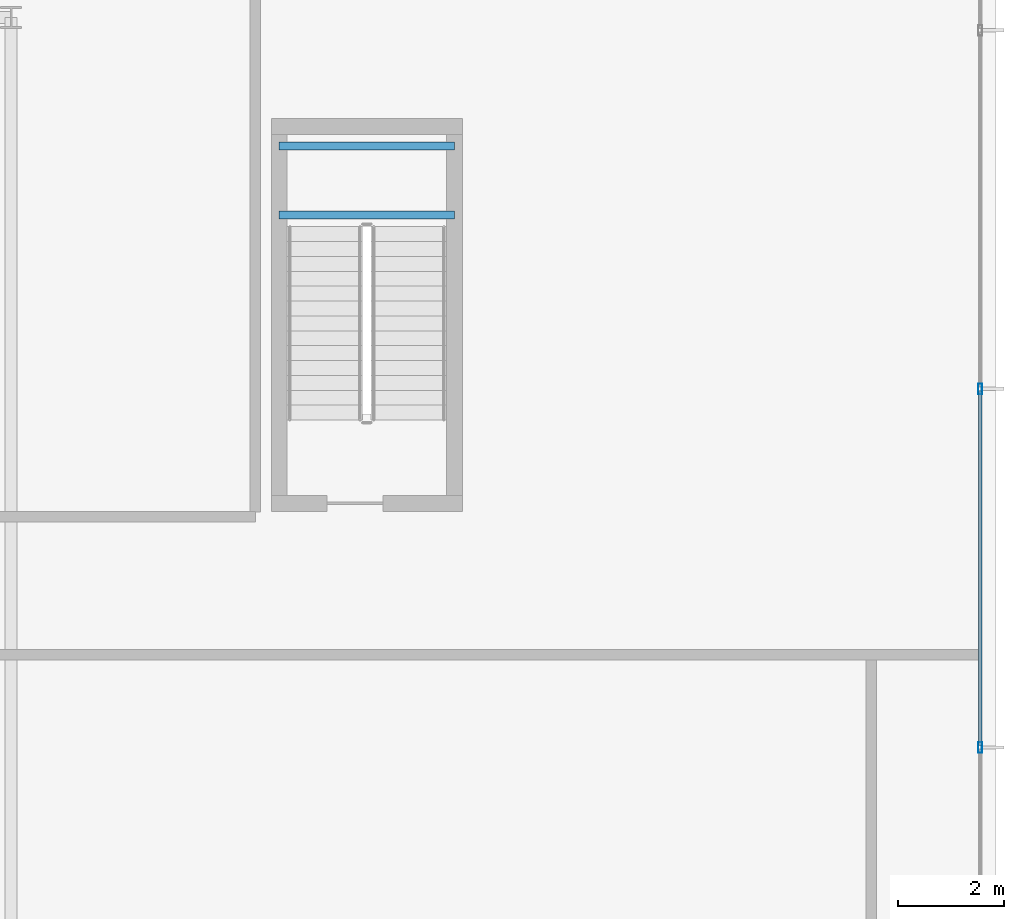
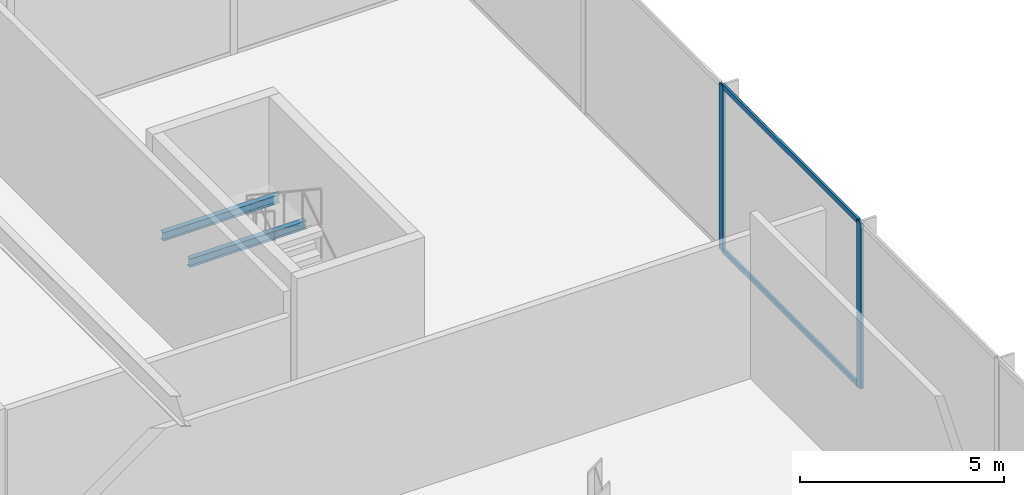
# One storey, part 28 of 43: 4 members, 2 beams, 1 element without a shape of its own.
"""IFC4 building model written with IfcOpenShell, lengths in metres."""

from ifc_helpers import new_model, si_unit, direction, frame, origin, origin_2d, place, context, subcontext, project, spatial, hollow_rectangle, i_section, extrude, material, layer, layer_set, material_profile, profile_set, type_object, element, aggregate, save


model = new_model("IFC4")

# Units and contexts
model_context = context("Model", 3, precision=1e-05, world=origin(), true_north=direction((0.0, 1.0)))
body_context = subcontext(model_context, "Body", "Model", "MODEL_VIEW")
ifc_project = project(units=[si_unit("LENGTHUNIT", "METRE"), si_unit("AREAUNIT", "SQUARE_METRE"), si_unit("VOLUMEUNIT", "CUBIC_METRE"), si_unit("PLANEANGLEUNIT", "RADIAN"), si_unit("MASSUNIT", "GRAM", prefix="KILO")], contexts=[model_context])

# Site, building, storey
site_placement = place(None, origin())
site = spatial("IfcSite", under=ifc_project, at=site_placement, CompositionType="ELEMENT")
building_placement = place(site_placement, origin())
building = spatial("IfcBuilding", under=site, at=building_placement, Name="Orvanel Arch Residences", CompositionType="ELEMENT")
storey_placement = place(building_placement, frame((0.0, 0.0, 18.39990234375)))
storey = spatial("IfcBuildingStorey", under=building, at=storey_placement, Name="L04", CompositionType="ELEMENT", Elevation=18.39990234375)

# Beams
ifc_material_1 = material(Name="Structural steel AS/NZS 3679.1 Grade 300 (300 MPa)", Category="steel")
ifc_material_profile_1 = material_profile(ifc_material_1, i_section(OverallWidth=0.14599609375, OverallDepth=0.251953125, WebThickness=0.006103515625, FlangeThickness=0.008544921875, at=origin_2d()), Name="250UB31.4")
ifc_profile_set_1 = profile_set([ifc_material_profile_1], Name="Structural steel AS/NZS 3679.1 Grade 300 (300 MPa)")
beam_type = type_object("IfcBeamType", Name="BJ-250UB", PredefinedType="JOIST", material=ifc_profile_set_1)
for number, where, z_axis, x_axis, name in (
    (1, (51.25, 44.280029296875, 2.274169921875), (1.0, 0.0, 0.0), (0.0, 1.0, 0.0), "L04 ST-4 Half-Landing Support Beam 1.1"),
    (2, (51.25, 45.580078125, 2.274169921875), (1.0, 0.0, 0.0), (0.0, 1.0, 0.0), "L04 ST-4 Half-Landing Support Beam 1.2"),
):
    element("IfcBeam", number, at=place(storey_placement, frame(where, z_axis=z_axis, x_axis=x_axis)), inside=storey, type_object=beam_type, Name=name, PredefinedType="JOIST", context=body_context, shape_type="SweptSolid", body=[
        extrude(i_section(OverallWidth=0.14599609375, OverallDepth=0.251953125, WebThickness=0.006103515625, FlangeThickness=0.008544921875, at=origin_2d()), origin(), (0.0, 0.0, 1.0), 3.300048828125),
    ])

# Curtain wall, members
ifc_material_2 = material(Name="Bronze-anodised aluminium AA6063-T6", Category="aluminium")
ifc_layer = layer(ifc_material_2, 0.199951171875)
ifc_layer_set = layer_set([ifc_layer], Name="Bronze-anodised aluminium AA6063-T6")
curtain_wall_type = type_object("IfcCurtainWallType", Name="CW1-POD-SYS", PredefinedType="NOTDEFINED", material=ifc_layer_set)
curtain_wall_placement = place(storey_placement, origin())
curtain_wall = element("IfcCurtainWall", 3, at=curtain_wall_placement, inside=storey, type_object=curtain_wall_type, Name="L04 CW1-POD-SYS Unitised Curtain Wall", PredefinedType="NOTDEFINED")
ifc_material_profile_2 = material_profile(ifc_material_2, hollow_rectangle(XDim=0.074951171875, YDim=0.199951171875, WallThickness=0.0048828125, at=origin_2d()), Name="ALU200x75x5")
ifc_profile_set_2 = profile_set([ifc_material_profile_2], Name="Bronze-anodised aluminium AA6063-T6")
member_type_1 = type_object("IfcMemberType", Name="MUL-200x75", PredefinedType="MULLION", material=ifc_profile_set_2)
member_1_placement = place(storey_placement, frame((64.449951171875, 34.25244140625, 0.0), z_axis=(0.0, 0.0, 1.0), x_axis=(-1.0, 0.0, 0.0)))
member_1 = element("IfcMember", 4, at=member_1_placement, type_object=member_type_1, Name="CW-S1 mullion 6", PredefinedType="MULLION", context=body_context, shape_type="SweptSolid", body=[
    extrude(hollow_rectangle(XDim=0.074951171875, YDim=0.199951171875, WallThickness=0.0048828125, at=origin_2d()), origin(), (0.0, 0.0, 1.0), 4.960205078125),
])
member_2_placement = place(storey_placement, frame((64.449951171875, 41.0048828125, 0.0), z_axis=(0.0, 0.0, 1.0), x_axis=(-1.0, 0.0, 0.0)))
member_2 = element("IfcMember", 5, at=member_2_placement, type_object=member_type_1, Name="CW-S1 mullion 7", PredefinedType="MULLION", context=body_context, shape_type="SweptSolid", body=[
    extrude(hollow_rectangle(XDim=0.074951171875, YDim=0.199951171875, WallThickness=0.0048828125, at=origin_2d()), origin(), (0.0, 0.0, 1.0), 4.960205078125),
])
ifc_material_profile_3 = material_profile(ifc_material_2, hollow_rectangle(XDim=0.06494140625, YDim=0.14990234375, WallThickness=0.00390625, at=origin_2d()), Name="ALU150x65x4")
ifc_profile_set_3 = profile_set([ifc_material_profile_3], Name="Bronze-anodised aluminium AA6063-T6")
member_type_2 = type_object("IfcMemberType", Name="TRN-150x65", PredefinedType="USERDEFINED", material=ifc_profile_set_3)
member_3_placement = place(storey_placement, frame((64.449951171875, 34.2900390625, 0.03271484375), z_axis=(0.0, 1.0, 0.0), x_axis=(-1.0, 0.0, 0.0)))
member_3 = element("IfcMember", 6, at=member_3_placement, type_object=member_type_2, Name="CW-S1 transom 6.1", ObjectType="TRANSOM", PredefinedType="USERDEFINED", context=body_context, shape_type="SweptSolid", body=[
    extrude(hollow_rectangle(XDim=0.06494140625, YDim=0.14990234375, WallThickness=0.00390625, at=origin_2d()), origin(), (0.0, 0.0, 1.0), 6.677490234375),
])
member_4_placement = place(storey_placement, frame((64.449951171875, 34.2900390625, 4.927490234375), z_axis=(0.0, 1.0, 0.0), x_axis=(-1.0, 0.0, 0.0)))
member_4 = element("IfcMember", 7, at=member_4_placement, type_object=member_type_2, Name="CW-S1 transom 6.2", ObjectType="TRANSOM", PredefinedType="USERDEFINED", context=body_context, shape_type="SweptSolid", body=[
    extrude(hollow_rectangle(XDim=0.06494140625, YDim=0.14990234375, WallThickness=0.00390625, at=origin_2d()), origin(), (0.0, 0.0, 1.0), 6.677490234375),
])
aggregate(curtain_wall, [member_1, member_2, member_3, member_4])

save(model, "model.ifc")
